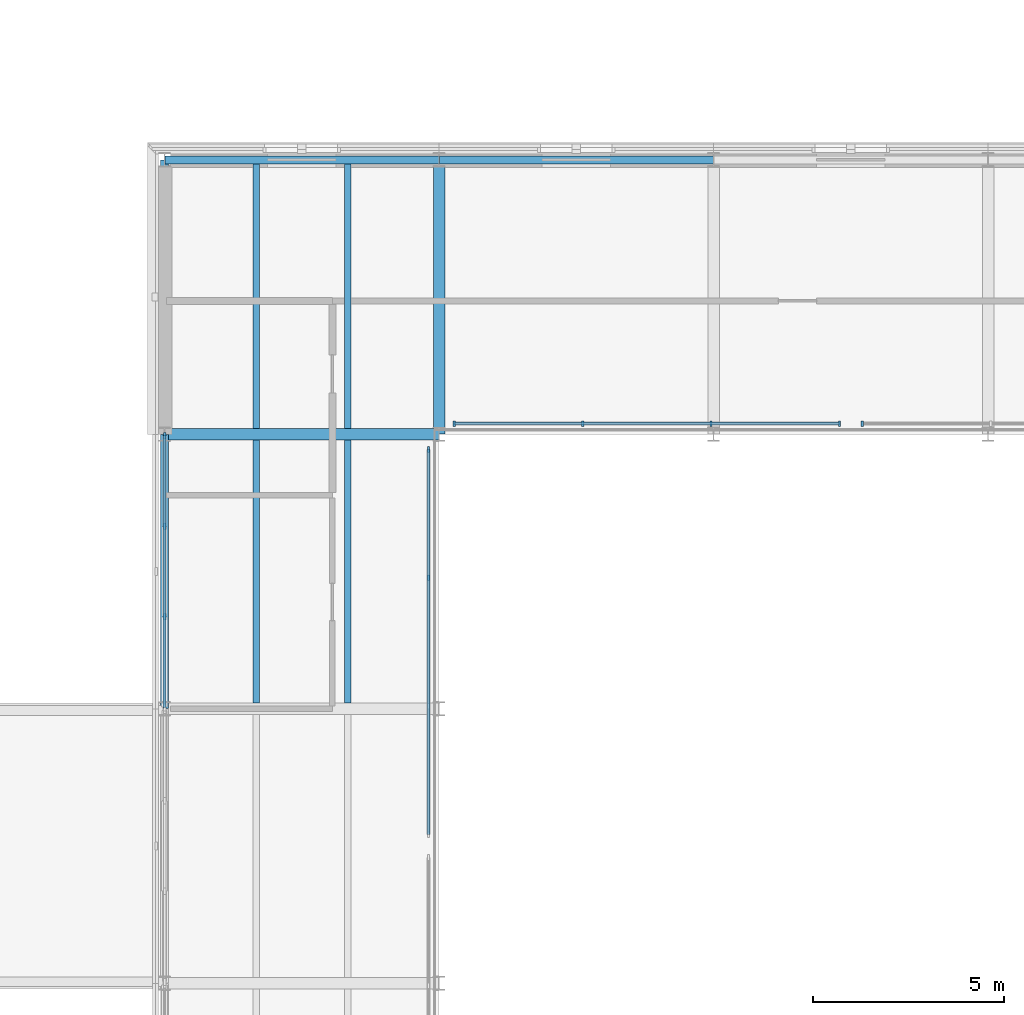
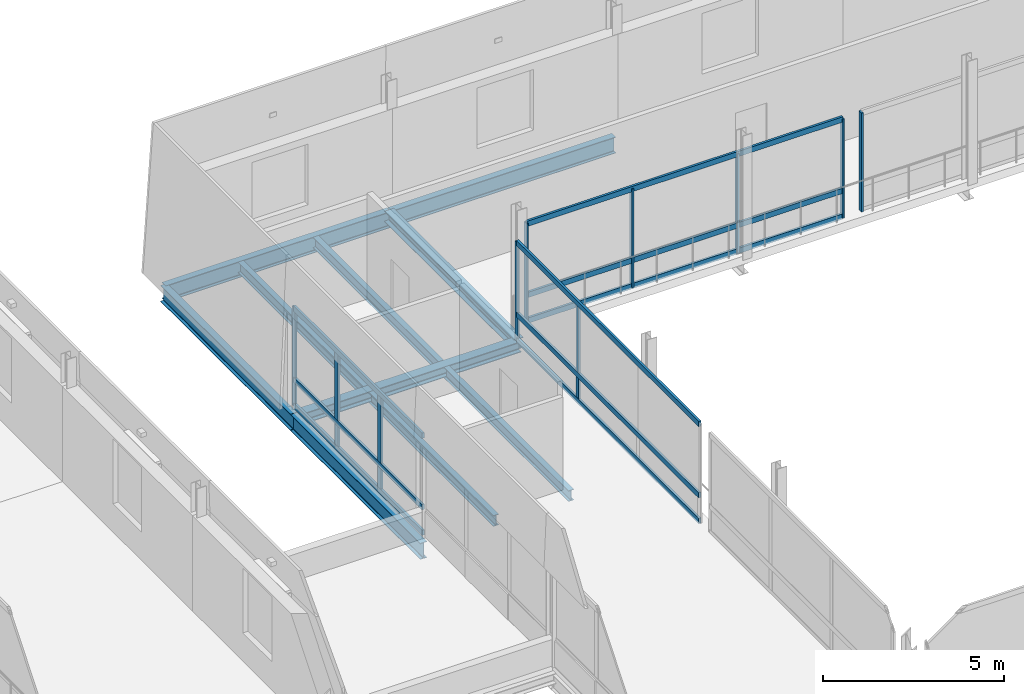
# One storey, part 24 of 91: 19 members, 10 beams, 4 elements without a shape of their own.
"""IFC4 building model written with IfcOpenShell, lengths in metres."""

from ifc_helpers import new_model, si_unit, direction, frame, origin, origin_2d, place, context, subcontext, project, spatial, rectangle, i_section, extrude, material, layer, layer_set, material_profile, profile_set, type_object, element, aggregate, save


model = new_model("IFC4")

# Units and contexts
model_context = context("Model", 3, precision=1e-05, world=origin(), true_north=direction((0.0, 1.0)))
body_context = subcontext(model_context, "Body", "Model", "MODEL_VIEW")
ifc_project = project(units=[si_unit("LENGTHUNIT", "METRE"), si_unit("AREAUNIT", "SQUARE_METRE"), si_unit("VOLUMEUNIT", "CUBIC_METRE"), si_unit("PLANEANGLEUNIT", "RADIAN"), si_unit("MASSUNIT", "GRAM", prefix="KILO")], contexts=[model_context])

# Site, building, storey
site_placement = place(None, origin())
site = spatial("IfcSite", under=ifc_project, at=site_placement, CompositionType="ELEMENT")
building_placement = place(site_placement, origin())
building = spatial("IfcBuilding", under=site, at=building_placement, Name="Narikvali Park Central Library", CompositionType="ELEMENT")
storey_placement = place(building_placement, frame((0.0, 0.0, 14.39990234375)))
storey = spatial("IfcBuildingStorey", under=building, at=storey_placement, Name="L03", CompositionType="ELEMENT", Elevation=14.39990234375)

# Curtain wall, members
ifc_material_1 = material(Name="Anodised Bronze Aluminium", Category="aluminium")
ifc_layer_1 = layer(ifc_material_1, 0.219970703125, Name="Anodised Bronze Aluminium")
ifc_layer_set_1 = layer_set([ifc_layer_1], Name="Anodised Bronze Aluminium")
curtain_wall_type_1 = type_object("IfcCurtainWallType", Name="Rotunda Drum Clerestory Curtain Wall", PredefinedType="NOTDEFINED", material=ifc_layer_set_1)
curtain_wall_1_placement = place(storey_placement, origin())
curtain_wall_1 = element("IfcCurtainWall", 1, at=curtain_wall_1_placement, inside=storey, type_object=curtain_wall_type_1, Name="Rotunda Drum Clerestory Curtain Wall CW-V1-L03-W-02", PredefinedType="NOTDEFINED")
ifc_material_profile_1 = material_profile(ifc_material_1, rectangle(XDim=0.074951171875, YDim=0.179931640625, at=origin_2d()), Name="CW TRANSOM 75x180")
ifc_profile_set_1 = profile_set([ifc_material_profile_1], Name="Anodised Bronze Aluminium")
member_type_1 = type_object("IfcMemberType", Name="Curtain Wall Heavy Transom 75x180", PredefinedType="USERDEFINED", material=ifc_profile_set_1)
member_1_placement = place(storey_placement, frame((64.800048828125, 86.362060546875, 0.030029296875), z_axis=(0.0, -1.0, 0.0), x_axis=(1.0, 0.0, 0.0)))
member_1 = element("IfcMember", 2, at=member_1_placement, type_object=member_type_1, Name="CW-V1-L03-W-02 Transom 00", ObjectType="TRANSOM", PredefinedType="USERDEFINED", context=body_context, shape_type="SweptSolid", body=[
    extrude(rectangle(XDim=0.074951171875, YDim=0.179931640625, at=origin_2d()), origin(), (0.0, 0.0, 1.0), 7.1240234375),
])
member_2_placement = place(storey_placement, frame((64.800048828125, 86.362060546875, 0.900146484375), z_axis=(0.0, -1.0, 0.0), x_axis=(1.0, 0.0, 0.0)))
member_2 = element("IfcMember", 3, at=member_2_placement, type_object=member_type_1, Name="CW-V1-L03-W-02 Transom 01", ObjectType="TRANSOM", PredefinedType="USERDEFINED", context=body_context, shape_type="SweptSolid", body=[
    extrude(rectangle(XDim=0.074951171875, YDim=0.179931640625, at=origin_2d()), origin(), (0.0, 0.0, 1.0), 7.1240234375),
])
member_3_placement = place(storey_placement, frame((64.800048828125, 86.362060546875, 3.31005859375), z_axis=(0.0, -1.0, 0.0), x_axis=(1.0, 0.0, 0.0)))
member_3 = element("IfcMember", 4, at=member_3_placement, type_object=member_type_1, Name="CW-V1-L03-W-02 Transom 02", ObjectType="TRANSOM", PredefinedType="USERDEFINED", context=body_context, shape_type="SweptSolid", body=[
    extrude(rectangle(XDim=0.074951171875, YDim=0.179931640625, at=origin_2d()), origin(), (0.0, 0.0, 1.0), 7.1240234375),
])

ifc_layer_2 = layer(ifc_material_1, 0.219970703125, Name="Anodised Bronze Aluminium")
ifc_layer_set_2 = layer_set([ifc_layer_2], Name="Anodised Bronze Aluminium")
curtain_wall_type_2 = type_object("IfcCurtainWallType", Name="Atrium Tall Curtain Wall System", PredefinedType="NOTDEFINED", material=ifc_layer_set_2)
curtain_wall_2_placement = place(storey_placement, origin())
curtain_wall_2 = element("IfcCurtainWall", 5, at=curtain_wall_2_placement, inside=storey, type_object=curtain_wall_type_2, Name="Atrium Tall Curtain Wall System CW-INT-V1-L03-W2", PredefinedType="NOTDEFINED")
member_4_placement = place(storey_placement, frame((71.719970703125, 75.89990234375, 0.030029296875), z_axis=(0.0, 1.0, 0.0), x_axis=(-1.0, 0.0, 0.0)))
member_4 = element("IfcMember", 6, at=member_4_placement, type_object=member_type_1, Name="CW-INT-V1-L03-W2 Transom 00", ObjectType="TRANSOM", PredefinedType="USERDEFINED", context=body_context, shape_type="SweptSolid", body=[
    extrude(rectangle(XDim=0.074951171875, YDim=0.179931640625, at=origin_2d()), origin(), (0.0, 0.0, 1.0), 10.10009765625),
])
member_5_placement = place(storey_placement, frame((71.719970703125, 75.89990234375, 0.900146484375), z_axis=(0.0, 1.0, 0.0), x_axis=(-1.0, 0.0, 0.0)))
member_5 = element("IfcMember", 7, at=member_5_placement, type_object=member_type_1, Name="CW-INT-V1-L03-W2 Transom 01", ObjectType="TRANSOM", PredefinedType="USERDEFINED", context=body_context, shape_type="SweptSolid", body=[
    extrude(rectangle(XDim=0.074951171875, YDim=0.179931640625, at=origin_2d()), origin(), (0.0, 0.0, 1.0), 10.10009765625),
])
member_6_placement = place(storey_placement, frame((71.719970703125, 75.89990234375, 3.31005859375), z_axis=(0.0, 1.0, 0.0), x_axis=(-1.0, 0.0, 0.0)))
member_6 = element("IfcMember", 8, at=member_6_placement, type_object=member_type_1, Name="CW-INT-V1-L03-W2 Transom 02", ObjectType="TRANSOM", PredefinedType="USERDEFINED", context=body_context, shape_type="SweptSolid", body=[
    extrude(rectangle(XDim=0.074951171875, YDim=0.179931640625, at=origin_2d()), origin(), (0.0, 0.0, 1.0), 10.10009765625),
])

curtain_wall_3_placement = place(storey_placement, origin())
curtain_wall_3 = element("IfcCurtainWall", 9, at=curtain_wall_3_placement, inside=storey, type_object=curtain_wall_type_2, Name="Atrium Tall Curtain Wall System CW-INT-V1-L03-N1", PredefinedType="NOTDEFINED")
member_7_placement = place(storey_placement, frame((72.39990234375, 86.679931640625, 0.030029296875), z_axis=(1.0, 0.0, 0.0), x_axis=(0.0, 1.0, 0.0)))
member_7 = element("IfcMember", 10, at=member_7_placement, type_object=member_type_1, Name="CW-INT-V1-L03-N1 Transom 00", ObjectType="TRANSOM", PredefinedType="USERDEFINED", context=body_context, shape_type="SweptSolid", body=[
    extrude(rectangle(XDim=0.074951171875, YDim=0.179931640625, at=origin_2d()), origin(), (0.0, 0.0, 1.0), 10.10009765625),
])
member_8_placement = place(storey_placement, frame((72.39990234375, 86.679931640625, 0.900146484375), z_axis=(1.0, 0.0, 0.0), x_axis=(0.0, 1.0, 0.0)))
member_8 = element("IfcMember", 11, at=member_8_placement, type_object=member_type_1, Name="CW-INT-V1-L03-N1 Transom 01", ObjectType="TRANSOM", PredefinedType="USERDEFINED", context=body_context, shape_type="SweptSolid", body=[
    extrude(rectangle(XDim=0.074951171875, YDim=0.179931640625, at=origin_2d()), origin(), (0.0, 0.0, 1.0), 10.10009765625),
])
member_9_placement = place(storey_placement, frame((72.39990234375, 86.679931640625, 3.31005859375), z_axis=(1.0, 0.0, 0.0), x_axis=(0.0, 1.0, 0.0)))
member_9 = element("IfcMember", 12, at=member_9_placement, type_object=member_type_1, Name="CW-INT-V1-L03-N1 Transom 02", ObjectType="TRANSOM", PredefinedType="USERDEFINED", context=body_context, shape_type="SweptSolid", body=[
    extrude(rectangle(XDim=0.074951171875, YDim=0.179931640625, at=origin_2d()), origin(), (0.0, 0.0, 1.0), 10.10009765625),
])

# Member
ifc_material_profile_2 = material_profile(ifc_material_1, rectangle(XDim=0.06005859375, YDim=0.14990234375, at=origin_2d()), Name="CW MULLION 60x150")
ifc_profile_set_2 = profile_set([ifc_material_profile_2], Name="Anodised Bronze Aluminium")
member_type_2 = type_object("IfcMemberType", Name="Curtain Wall Mullion 60x150", PredefinedType="MULLION", material=ifc_profile_set_2)
member_10_placement = place(storey_placement, frame((71.719970703125, 82.63330078125, -0.010009765625), z_axis=(0.0, 0.0, 1.0), x_axis=(1.0, 0.0, 0.0)))
member_10 = element("IfcMember", 13, at=member_10_placement, type_object=member_type_2, Name="CW-INT-V1-L03-W2 Mullion 02", PredefinedType="MULLION", context=body_context, shape_type="SweptSolid", body=[
    extrude(rectangle(XDim=0.06005859375, YDim=0.14990234375, at=origin_2d()), origin(), (0.0, 0.0, 1.0), 3.35009765625),
])

member_11_placement = place(storey_placement, frame((71.719970703125, 86.0, -0.010009765625), z_axis=(0.0, 0.0, 1.0), x_axis=(1.0, 0.0, 0.0)))
member_11 = element("IfcMember", 14, at=member_11_placement, type_object=member_type_2, Name="CW-INT-V1-L03-W2 Mullion 03", PredefinedType="MULLION", context=body_context, shape_type="SweptSolid", body=[
    extrude(rectangle(XDim=0.06005859375, YDim=0.14990234375, at=origin_2d()), origin(), (0.0, 0.0, 1.0), 3.35009765625),
])

aggregate(curtain_wall_2, [member_10, member_11, member_4, member_5, member_6])

member_12_placement = place(storey_placement, frame((72.39990234375, 86.679931640625, -0.010009765625), z_axis=(0.0, 0.0, 1.0), x_axis=(1.0, 0.0, 0.0)))
member_12 = element("IfcMember", 15, at=member_12_placement, type_object=member_type_2, Name="CW-INT-V1-L03-N1 Mullion 00", PredefinedType="MULLION", context=body_context, shape_type="SweptSolid", body=[
    extrude(rectangle(XDim=0.06005859375, YDim=0.14990234375, at=origin_2d()), origin(), (0.0, 0.0, 1.0), 3.35009765625),
])

member_13_placement = place(storey_placement, frame((75.7666015625, 86.679931640625, -0.010009765625), z_axis=(0.0, 0.0, 1.0), x_axis=(1.0, 0.0, 0.0)))
member_13 = element("IfcMember", 16, at=member_13_placement, type_object=member_type_2, Name="CW-INT-V1-L03-N1 Mullion 01", PredefinedType="MULLION", context=body_context, shape_type="SweptSolid", body=[
    extrude(rectangle(XDim=0.06005859375, YDim=0.14990234375, at=origin_2d()), origin(), (0.0, 0.0, 1.0), 3.35009765625),
])

member_14_placement = place(storey_placement, frame((79.13330078125, 86.679931640625, -0.010009765625), z_axis=(0.0, 0.0, 1.0), x_axis=(1.0, 0.0, 0.0)))
member_14 = element("IfcMember", 17, at=member_14_placement, type_object=member_type_2, Name="CW-INT-V1-L03-N1 Mullion 02", PredefinedType="MULLION", context=body_context, shape_type="SweptSolid", body=[
    extrude(rectangle(XDim=0.06005859375, YDim=0.14990234375, at=origin_2d()), origin(), (0.0, 0.0, 1.0), 3.35009765625),
])

member_15_placement = place(storey_placement, frame((82.5, 86.679931640625, -0.010009765625), z_axis=(0.0, 0.0, 1.0), x_axis=(1.0, 0.0, 0.0)))
member_15 = element("IfcMember", 18, at=member_15_placement, type_object=member_type_2, Name="CW-INT-V1-L03-N1 Mullion 03", PredefinedType="MULLION", context=body_context, shape_type="SweptSolid", body=[
    extrude(rectangle(XDim=0.06005859375, YDim=0.14990234375, at=origin_2d()), origin(), (0.0, 0.0, 1.0), 3.35009765625),
])

aggregate(curtain_wall_3, [member_12, member_13, member_14, member_15, member_7, member_8, member_9])

# Curtain wall, member
curtain_wall_4_placement = place(storey_placement, origin())
curtain_wall_4 = element("IfcCurtainWall", 19, at=curtain_wall_4_placement, inside=storey, type_object=curtain_wall_type_2, Name="Atrium Tall Curtain Wall System CW-INT-V1-L03-N2", PredefinedType="NOTDEFINED")
member_16_placement = place(storey_placement, frame((83.10009765625, 86.679931640625, -0.010009765625), z_axis=(0.0, 0.0, 1.0), x_axis=(1.0, 0.0, 0.0)))
member_16 = element("IfcMember", 20, at=member_16_placement, type_object=member_type_2, Name="CW-INT-V1-L03-N2 Mullion 00", PredefinedType="MULLION", context=body_context, shape_type="SweptSolid", body=[
    extrude(rectangle(XDim=0.06005859375, YDim=0.14990234375, at=origin_2d()), origin(), (0.0, 0.0, 1.0), 3.35009765625),
])
aggregate(curtain_wall_4, [member_16])

# Member
ifc_material_profile_3 = material_profile(ifc_material_1, rectangle(XDim=0.06494140625, YDim=0.179931640625, at=origin_2d()), Name="CW MULLION 65x180")
ifc_profile_set_3 = profile_set([ifc_material_profile_3], Name="Anodised Bronze Aluminium")
member_type_3 = type_object("IfcMemberType", Name="Curtain Wall Mullion 65x180", PredefinedType="MULLION", material=ifc_profile_set_3)
member_17_placement = place(storey_placement, frame((64.800048828125, 86.362060546875, -0.010009765625), z_axis=(0.0, 0.0, 1.0), x_axis=(1.0, 0.0, 0.0)))
member_17 = element("IfcMember", 21, at=member_17_placement, type_object=member_type_3, Name="CW-V1-L03-W-02 Mullion 00", PredefinedType="MULLION", context=body_context, shape_type="SweptSolid", body=[
    extrude(rectangle(XDim=0.06494140625, YDim=0.179931640625, at=origin_2d()), origin(), (0.0, 0.0, 1.0), 3.35009765625),
])

member_18_placement = place(storey_placement, frame((64.800048828125, 83.9873046875, -0.010009765625), z_axis=(0.0, 0.0, 1.0), x_axis=(1.0, 0.0, 0.0)))
member_18 = element("IfcMember", 22, at=member_18_placement, type_object=member_type_3, Name="CW-V1-L03-W-02 Mullion 01", PredefinedType="MULLION", context=body_context, shape_type="SweptSolid", body=[
    extrude(rectangle(XDim=0.06494140625, YDim=0.179931640625, at=origin_2d()), origin(), (0.0, 0.0, 1.0), 3.35009765625),
])

member_19_placement = place(storey_placement, frame((64.800048828125, 81.61279296875, -0.010009765625), z_axis=(0.0, 0.0, 1.0), x_axis=(1.0, 0.0, 0.0)))
member_19 = element("IfcMember", 23, at=member_19_placement, type_object=member_type_3, Name="CW-V1-L03-W-02 Mullion 02", PredefinedType="MULLION", context=body_context, shape_type="SweptSolid", body=[
    extrude(rectangle(XDim=0.06494140625, YDim=0.179931640625, at=origin_2d()), origin(), (0.0, 0.0, 1.0), 3.35009765625),
])

aggregate(curtain_wall_1, [member_17, member_18, member_19, member_1, member_2, member_3])

# Beams
ifc_material_2 = material(Name="Steel S355", Category="steel")
ifc_material_profile_4 = material_profile(ifc_material_2, i_section(OverallWidth=0.2099609375, OverallDepth=0.550048828125, WebThickness=0.010986328125, FlangeThickness=0.01708984375, FilletRadius=0.02392578125, at=origin_2d()), Name="IPE 550")
ifc_profile_set_4 = profile_set([ifc_material_profile_4], Name="Steel S355")
beam_type_1 = type_object("IfcBeamType", Name="Perimeter Spandrel IPE550", PredefinedType="SPANDREL", material=ifc_profile_set_4)
for number, where, z_axis, x_axis, name in (
    (24, (64.80810546875, 93.60009765625, -0.554931640625), (1.0, 0.0, 0.0), (0.0, 1.0, 0.0), "V1 L03 Girder X"),
    (25, (72.008056640625, 93.60009765625, -0.554931640625), (1.0, 0.0, 0.0), (0.0, 1.0, 0.0), "V1 L03 Girder X"),
):
    element("IfcBeam", number, at=place(storey_placement, frame(where, z_axis=z_axis, x_axis=x_axis)), inside=storey, type_object=beam_type_1, Name=name, PredefinedType="SPANDREL", context=body_context, shape_type="SweptSolid", body=[
        extrude(i_section(OverallWidth=0.2099609375, OverallDepth=0.550048828125, WebThickness=0.010986328125, FlangeThickness=0.01708984375, FilletRadius=0.02392578125, at=origin_2d()), origin(), (0.0, 0.0, 1.0), 7.183837890625),
    ])
for number, where, z_axis, x_axis, name in (
    (26, (64.800048828125, 79.2080078125, -0.554931640625), (0.0, 1.0, 0.0), (-1.0, 0.0, 0.0), "V1 L03 Girder Y"),
    (27, (64.800048828125, 86.407958984375, -0.554931640625), (0.0, 1.0, 0.0), (-1.0, 0.0, 0.0), "V1 L03 Girder Y"),
):
    element("IfcBeam", number, at=place(storey_placement, frame(where, z_axis=z_axis, x_axis=x_axis)), inside=storey, type_object=beam_type_1, Name=name, PredefinedType="SPANDREL", context=body_context, shape_type="SweptSolid", body=[
        extrude(i_section(OverallWidth=0.2099609375, OverallDepth=0.550048828125, WebThickness=0.010986328125, FlangeThickness=0.01708984375, FilletRadius=0.02392578125, at=origin_2d()), origin(), (0.0, 0.0, 1.0), 7.18408203125),
    ])
ifc_material_profile_5 = material_profile(ifc_material_2, i_section(OverallWidth=0.300048828125, OverallDepth=0.35009765625, WebThickness=0.010009765625, FlangeThickness=0.017578125, FilletRadius=0.027099609375, at=origin_2d()), Name="HEA 360")
ifc_profile_set_5 = profile_set([ifc_material_profile_5], Name="Steel S355")
beam_type_2 = type_object("IfcBeamType", Name="Primary Girder HEA360", PredefinedType="BEAM", material=ifc_profile_set_5)
beam_1_placement = place(storey_placement, frame((72.0, 86.407958984375, -0.454833984375), z_axis=(0.0, 1.0, 0.0), x_axis=(-1.0, 0.0, 0.0)))
element("IfcBeam", 28, at=beam_1_placement, inside=storey, type_object=beam_type_2, Name="V1 L03 Girder Y", PredefinedType="BEAM", context=body_context, shape_type="SweptSolid", body=[
    extrude(i_section(OverallWidth=0.300048828125, OverallDepth=0.35009765625, WebThickness=0.010009765625, FlangeThickness=0.017578125, FilletRadius=0.027099609375, at=origin_2d()), origin(), (0.0, 0.0, 1.0), 7.18408203125),
])
ifc_material_profile_6 = material_profile(ifc_material_2, i_section(OverallWidth=0.300048828125, OverallDepth=0.360107421875, WebThickness=0.012451171875, FlangeThickness=0.0224609375, FilletRadius=0.027099609375, at=origin_2d()), Name="HEB 360")
ifc_profile_set_6 = profile_set([ifc_material_profile_6], Name="Steel S355")
beam_type_3 = type_object("IfcBeamType", Name="Upper Gallery Girder HEB360", PredefinedType="BEAM", material=ifc_profile_set_6)
beam_2_placement = place(storey_placement, frame((64.80810546875, 86.39990234375, -0.4599609375), z_axis=(1.0, 0.0, 0.0), x_axis=(0.0, 1.0, 0.0)))
element("IfcBeam", 29, at=beam_2_placement, inside=storey, type_object=beam_type_3, Name="V1 L03 Girder X", PredefinedType="BEAM", context=body_context, shape_type="SweptSolid", body=[
    extrude(i_section(OverallWidth=0.300048828125, OverallDepth=0.360107421875, WebThickness=0.012451171875, FlangeThickness=0.0224609375, FilletRadius=0.027099609375, at=origin_2d()), origin(), (0.0, 0.0, 1.0), 7.183837890625),
])
ifc_material_profile_7 = material_profile(ifc_material_2, i_section(OverallWidth=0.172119140625, OverallDepth=0.364013671875, WebThickness=0.00927734375, FlangeThickness=0.0146484375, FilletRadius=0.01806640625, at=origin_2d()), Name="IPEO 360")
ifc_profile_set_7 = profile_set([ifc_material_profile_7], Name="Steel S355")
beam_type_4 = type_object("IfcBeamType", Name="Upper Study Joist IPEO360", PredefinedType="JOIST", material=ifc_profile_set_7)
for number, where, z_axis, x_axis, name in (
    (30, (67.199951171875, 79.35009765625, -0.4619140625), (0.0, 1.0, 0.0), (-1.0, 0.0, 0.0), "V1 L03 Composite Joist 1"),
    (31, (69.60009765625, 79.35009765625, -0.4619140625), (0.0, 1.0, 0.0), (-1.0, 0.0, 0.0), "V1 L03 Composite Joist 2"),
):
    element("IfcBeam", number, at=place(storey_placement, frame(where, z_axis=z_axis, x_axis=x_axis)), inside=storey, type_object=beam_type_4, Name=name, PredefinedType="JOIST", context=body_context, shape_type="SweptSolid", body=[
        extrude(i_section(OverallWidth=0.172119140625, OverallDepth=0.364013671875, WebThickness=0.00927734375, FlangeThickness=0.0146484375, FilletRadius=0.01806640625, at=origin_2d()), origin(), (0.0, 0.0, 1.0), 6.89990234375),
    ])
for number, where, z_axis, x_axis, name in (
    (32, (67.199951171875, 86.550048828125, -0.4619140625), (0.0, 1.0, 0.0), (-1.0, 0.0, 0.0), "V1 L03 Composite Joist 1"),
    (33, (69.60009765625, 86.550048828125, -0.4619140625), (0.0, 1.0, 0.0), (-1.0, 0.0, 0.0), "V1 L03 Composite Joist 2"),
):
    element("IfcBeam", number, at=place(storey_placement, frame(where, z_axis=z_axis, x_axis=x_axis)), inside=storey, type_object=beam_type_4, Name=name, PredefinedType="JOIST", context=body_context, shape_type="SweptSolid", body=[
        extrude(i_section(OverallWidth=0.172119140625, OverallDepth=0.364013671875, WebThickness=0.00927734375, FlangeThickness=0.0146484375, FilletRadius=0.01806640625, at=origin_2d()), origin(), (0.0, 0.0, 1.0), 6.945068359375),
    ])

save(model, "model.ifc")
